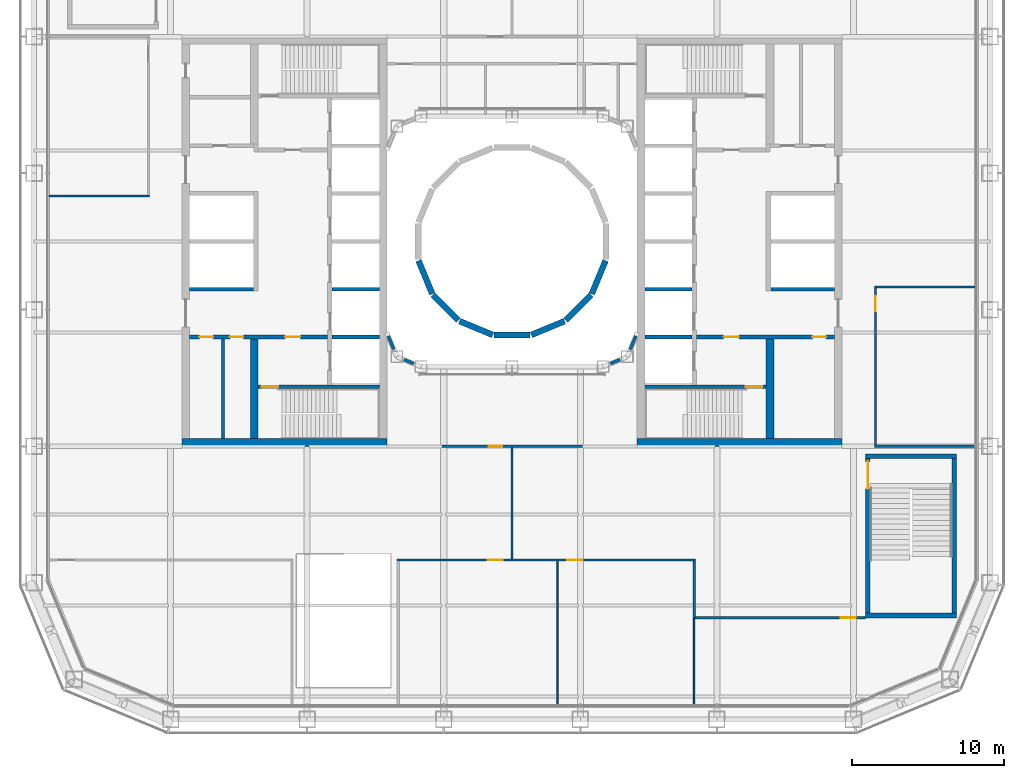
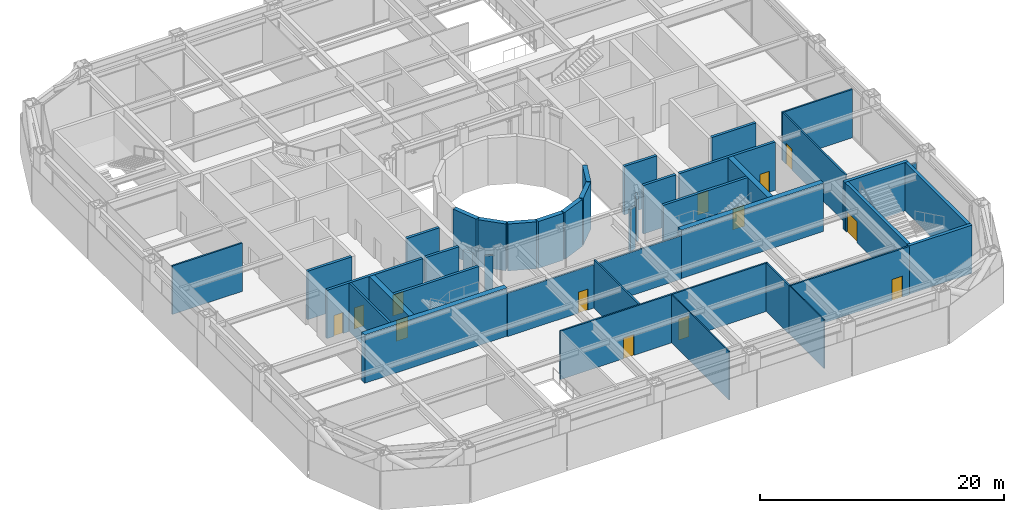
# One storey, part 12 of 24: 41 walls, 13 doors, 13 openings.
"""IFC4 building model written with IfcOpenShell, lengths in metres."""

from ifc_helpers import new_model, si_unit, direction, frame, frame_2d, origin, place, context, subcontext, project, spatial, rectangle, extrude, material, layer, layer_set, type_object, element, fill, save


model = new_model("IFC4")

# Units and contexts
model_context = context("Model", 3, precision=1e-05, world=origin(), true_north=direction((0.0, 1.0)))
body_context = subcontext(model_context, "Body", "Model", "MODEL_VIEW")
ifc_project = project(units=[si_unit("LENGTHUNIT", "METRE"), si_unit("AREAUNIT", "SQUARE_METRE"), si_unit("VOLUMEUNIT", "CUBIC_METRE"), si_unit("PLANEANGLEUNIT", "RADIAN"), si_unit("MASSUNIT", "GRAM", prefix="KILO")], contexts=[model_context])

# Site, building, storey
site_placement = place(None, origin())
site = spatial("IfcSite", under=ifc_project, at=site_placement, CompositionType="ELEMENT")
building_placement = place(site_placement, origin())
building = spatial("IfcBuilding", under=site, at=building_placement, Name="Siwar Civic Tower", CompositionType="ELEMENT")
storey_placement = place(building_placement, frame((0.0, 0.0, 12.199951171875)))
storey = spatial("IfcBuildingStorey", under=building, at=storey_placement, Name="L02", CompositionType="ELEMENT", Elevation=12.199951171875)

# Wall, opening, door
ifc_material_1 = material(Name="Gypsum board on steel studs", Category="steel")
ifc_layer_1 = layer(ifc_material_1, 0.14990234375)
ifc_layer_set_1 = layer_set([ifc_layer_1], Name="Gypsum board on steel studs")
wall_type_1 = type_object("IfcWallType", Name="COMPARTMENT PARTITION 150 EI 60", PredefinedType="PARTITIONING", material=ifc_layer_set_1)
wall_1_placement = place(storey_placement, frame((-8.25, -13.5, 0.0), z_axis=(0.0, 0.0, 1.0), x_axis=(1.0, 0.0, 0.0)))
wall_1 = element("IfcWall", 1, at=wall_1_placement, inside=storey, type_object=wall_type_1, Name="L02/wall/P05", PredefinedType="PARTITIONING", context=body_context, shape_type="SweptSolid", body=[
    extrude(rectangle(XDim=16.5, YDim=0.14990234375, at=frame_2d((8.25, 0.0))), origin(), (0.0, 0.0, 1.0), 4.35009765625),
])
opening_1_placement = place(wall_1_placement, frame((6.699951171875, 0.0, 0.0)))
opening_1 = element("IfcOpeningElement", 2, at=opening_1_placement, cuts=wall_1, Name="Opening D4", PredefinedType="OPENING", context=body_context, shape_type="SweptSolid", body=[
    extrude(rectangle(XDim=0.89990234375, YDim=2.10009765625, at=frame_2d((0.449951171875, 1.050048828125))), frame((0.0, 0.0849609375, 0.0), z_axis=(0.0, -1.0, 0.0), x_axis=(1.0, 0.0, 0.0)), (0.0, 0.0, 1.0), 0.169921875),
])
ifc_material_2 = material(Name="Timber, painted", Category="wood")
door_type_1 = type_object("IfcDoorType", Name="DOOR 900 X 2100 FD60", OperationType="SINGLE_SWING_LEFT", PredefinedType="DOOR", material=ifc_material_2)
door_1_placement = place(opening_1_placement, origin())
door_1 = element("IfcDoor", 3, at=door_1_placement, inside=storey, type_object=door_type_1, Name="L02-D17", OperationType="SINGLE_SWING_LEFT", OverallHeight=2.10009765625, OverallWidth=0.89990234375, PredefinedType="DOOR", context=body_context, shape_type="SweptSolid", body=[
    extrude(rectangle(XDim=0.89990234375, YDim=2.10009765625, at=frame_2d((0.449951171875, 1.050048828125))), frame((0.0, 0.02490234375, 0.0), z_axis=(0.0, -1.0, 0.0), x_axis=(1.0, 0.0, 0.0)), (0.0, 0.0, 1.0), 0.050048828125),
])
fill(opening_1, door_1)

# Wall
ifc_material_3 = material(Name="Gypsum board on steel studs", Category="steel")
ifc_layer_2 = layer(ifc_material_3, 0.199951171875)
ifc_layer_set_2 = layer_set([ifc_layer_2], Name="Gypsum board on steel studs")
wall_type_2 = type_object("IfcWallType", Name="CORE-PARTITION-200", PredefinedType="PARTITIONING", material=ifc_layer_set_2)
wall_2_placement = place(storey_placement, frame((-19.050048828125, -13.0, 0.0), z_axis=(0.0, 0.0, 1.0), x_axis=(0.0, 1.0, 0.0)))
element("IfcWall", 4, at=wall_2_placement, inside=storey, type_object=wall_type_2, Name="Core partition W", PredefinedType="PARTITIONING", context=body_context, shape_type="SweptSolid", body=[
    extrude(rectangle(XDim=6.574951171875, YDim=0.199951171875, at=frame_2d((3.28759765625, 0.0))), origin(), (0.0, 0.0, 1.0), 4.85009765625),
])

# Wall, openings, doors
ifc_material_4 = material(Name="Concrete C60/75", Category="concrete")
ifc_layer_3 = layer(ifc_material_4, 0.25)
ifc_layer_set_3 = layer_set([ifc_layer_3], Name="Concrete C60/75")
wall_type_3 = type_object("IfcWallType", Name="CORE-WALL-RC250", PredefinedType="SHEAR", material=ifc_layer_set_3)
wall_3_placement = place(storey_placement, frame((-12.14990234375, -6.300048828125, 0.0), z_axis=(0.0, 0.0, 1.0), x_axis=(-1.0, 0.0, 0.0)))
wall_3 = element("IfcWall", 5, at=wall_3_placement, inside=storey, type_object=wall_type_3, Name="Core wall W", PredefinedType="SHEAR", context=body_context, shape_type="SweptSolid", body=[
    extrude(rectangle(XDim=9.10009765625, YDim=0.25, at=frame_2d((4.550048828125, 0.0))), origin(), (0.0, 0.0, 1.0), 4.85009765625),
])
opening_2_placement = place(wall_3_placement, frame((1.800048828125, 0.0, 0.0)))
opening_2 = element("IfcOpeningElement", 6, at=opening_2_placement, cuts=wall_3, Name="Opening L02-CW02", PredefinedType="OPENING", context=body_context, shape_type="SweptSolid", body=[
    extrude(rectangle(XDim=1.0, YDim=2.10009765625, at=frame_2d((0.5, 1.050048828125))), frame((0.0, 0.135009765625, 0.0), z_axis=(0.0, -1.0, 0.0), x_axis=(1.0, 0.0, 0.0)), (0.0, 0.0, 1.0), 0.27001953125),
])
opening_3_placement = place(wall_3_placement, frame((5.550048828125, 0.0, 0.0)))
opening_3 = element("IfcOpeningElement", 7, at=opening_3_placement, cuts=wall_3, Name="Opening L02-CW15", PredefinedType="OPENING", context=body_context, shape_type="SweptSolid", body=[
    extrude(rectangle(XDim=0.89990234375, YDim=2.10009765625, at=frame_2d((0.449951171875, 1.050048828125))), frame((0.0, 0.135009765625, 0.0), z_axis=(0.0, -1.0, 0.0), x_axis=(1.0, 0.0, 0.0)), (0.0, 0.0, 1.0), 0.27001953125),
])
opening_4_placement = place(wall_3_placement, frame((7.550048828125, 0.0, 0.0)))
opening_4 = element("IfcOpeningElement", 8, at=opening_4_placement, cuts=wall_3, Name="Opening L02-CW16", PredefinedType="OPENING", context=body_context, shape_type="SweptSolid", body=[
    extrude(rectangle(XDim=0.89990234375, YDim=2.10009765625, at=frame_2d((0.449951171875, 1.050048828125))), frame((0.0, 0.135009765625, 0.0), z_axis=(0.0, -1.0, 0.0), x_axis=(1.0, 0.0, 0.0)), (0.0, 0.0, 1.0), 0.27001953125),
])
ifc_material_5 = material(Name="Steel door leaf", Category="steel")
door_type_2 = type_object("IfcDoorType", Name="CORE-DOOR-FD30S", OperationType="SINGLE_SWING_LEFT", PredefinedType="DOOR", material=ifc_material_5)
door_2_placement = place(opening_2_placement, origin())
door_2 = element("IfcDoor", 9, at=door_2_placement, inside=storey, type_object=door_type_2, Name="Service lobby door L02-CW02", OperationType="SINGLE_SWING_RIGHT", OverallHeight=2.10009765625, OverallWidth=1.0, PredefinedType="DOOR", context=body_context, shape_type="SweptSolid", body=[
    extrude(rectangle(XDim=1.0, YDim=2.10009765625, at=frame_2d((0.5, 1.050048828125))), frame((0.0, 0.02490234375, 0.0), z_axis=(0.0, -1.0, 0.0), x_axis=(1.0, 0.0, 0.0)), (0.0, 0.0, 1.0), 0.050048828125),
])
fill(opening_2, door_2)
ifc_material_6 = material(Name="Steel door leaf", Category="steel")
door_type_3 = type_object("IfcDoorType", Name="CORE-DOOR-ROOM", OperationType="SINGLE_SWING_LEFT", PredefinedType="DOOR", material=ifc_material_6)
door_3_placement = place(opening_3_placement, origin())
door_3 = element("IfcDoor", 10, at=door_3_placement, inside=storey, type_object=door_type_3, Name="Core room door L02-CW15", OperationType="SINGLE_SWING_LEFT", OverallHeight=2.10009765625, OverallWidth=0.89990234375, PredefinedType="DOOR", context=body_context, shape_type="SweptSolid", body=[
    extrude(rectangle(XDim=0.89990234375, YDim=2.10009765625, at=frame_2d((0.449951171875, 1.050048828125))), frame((0.0, 0.02490234375, 0.0), z_axis=(0.0, -1.0, 0.0), x_axis=(1.0, 0.0, 0.0)), (0.0, 0.0, 1.0), 0.050048828125),
])
fill(opening_3, door_3)
door_4_placement = place(opening_4_placement, origin())
door_4 = element("IfcDoor", 11, at=door_4_placement, inside=storey, type_object=door_type_3, Name="Core room door L02-CW16", OperationType="SINGLE_SWING_RIGHT", OverallHeight=2.10009765625, OverallWidth=0.89990234375, PredefinedType="DOOR", context=body_context, shape_type="SweptSolid", body=[
    extrude(rectangle(XDim=0.89990234375, YDim=2.10009765625, at=frame_2d((0.449951171875, 1.050048828125))), frame((0.0, 0.02490234375, 0.0), z_axis=(0.0, -1.0, 0.0), x_axis=(1.0, 0.0, 0.0)), (0.0, 0.0, 1.0), 0.050048828125),
])
fill(opening_4, door_4)

# Walls
wall_4_placement = place(storey_placement, frame((-17.050048828125, -3.14990234375, 0.0), z_axis=(0.0, 0.0, 1.0), x_axis=(-1.0, 0.0, 0.0)))
element("IfcWall", 12, at=wall_4_placement, inside=storey, type_object=wall_type_3, Name="Core wall W", PredefinedType="SHEAR", context=body_context, shape_type="SweptSolid", body=[
    extrude(rectangle(XDim=4.199951171875, YDim=0.25, at=frame_2d((2.10009765625, 0.0))), origin(), (0.0, 0.0, 1.0), 4.85009765625),
])
for number, where, z_axis, x_axis, name in (
    (13, (-8.75, -3.14990234375, 0.0), (0.0, 0.0, 1.0), (-1.0, 0.0, 0.0), "Core wall W"),
    (14, (-8.75, -6.300048828125, 0.0), (0.0, 0.0, 1.0), (-1.0, 0.0, 0.0), "Core wall W"),
):
    element("IfcWall", number, at=place(storey_placement, frame(where, z_axis=z_axis, x_axis=x_axis)), inside=storey, type_object=wall_type_3, Name=name, PredefinedType="SHEAR", context=body_context, shape_type="SweptSolid", body=[
        extrude(rectangle(XDim=3.10009765625, YDim=0.25, at=frame_2d((1.550048828125, 0.0))), origin(), (0.0, 0.0, 1.0), 4.85009765625),
    ])

# Wall, opening, door
wall_5_placement = place(storey_placement, frame((-8.75, -9.574951171875, 0.0), z_axis=(0.0, 0.0, 1.0), x_axis=(-1.0, 0.0, 0.0)))
wall_5 = element("IfcWall", 15, at=wall_5_placement, inside=storey, type_object=wall_type_3, Name="Core wall W", PredefinedType="SHEAR", context=body_context, shape_type="SweptSolid", body=[
    extrude(rectangle(XDim=8.0, YDim=0.25, at=frame_2d((4.0, 0.0))), origin(), (0.0, 0.0, 1.0), 4.85009765625),
])
opening_5_placement = place(wall_5_placement, frame((6.64990234375, 0.0, 0.0)))
opening_5 = element("IfcOpeningElement", 16, at=opening_5_placement, cuts=wall_5, Name="Opening L02-CW04", PredefinedType="OPENING", context=body_context, shape_type="SweptSolid", body=[
    extrude(rectangle(XDim=1.10009765625, YDim=2.10009765625, at=frame_2d((0.550048828125, 1.050048828125))), frame((0.0, 0.135009765625, 0.0), z_axis=(0.0, -1.0, 0.0), x_axis=(1.0, 0.0, 0.0)), (0.0, 0.0, 1.0), 0.27001953125),
])
ifc_material_7 = material(Name="Steel door leaf", Category="steel")
door_type_4 = type_object("IfcDoorType", Name="CORE-DOOR-FD60S", OperationType="SINGLE_SWING_LEFT", PredefinedType="DOOR", material=ifc_material_7)
door_5_placement = place(opening_5_placement, origin())
door_5 = element("IfcDoor", 17, at=door_5_placement, inside=storey, type_object=door_type_4, Name="Stair door L02-CW04", OperationType="SINGLE_SWING_LEFT", OverallHeight=2.10009765625, OverallWidth=1.10009765625, PredefinedType="DOOR", context=body_context, shape_type="SweptSolid", body=[
    extrude(rectangle(XDim=1.10009765625, YDim=2.10009765625, at=frame_2d((0.550048828125, 1.050048828125))), frame((0.0, 0.02490234375, 0.0), z_axis=(0.0, -1.0, 0.0), x_axis=(1.0, 0.0, 0.0)), (0.0, 0.0, 1.0), 0.050048828125),
])
fill(opening_5, door_5)

# Wall, openings, doors
wall_6_placement = place(storey_placement, frame((12.14990234375, -6.300048828125, 0.0), z_axis=(0.0, 0.0, 1.0), x_axis=(1.0, 0.0, 0.0)))
wall_6 = element("IfcWall", 18, at=wall_6_placement, inside=storey, type_object=wall_type_3, Name="Core wall E", PredefinedType="SHEAR", context=body_context, shape_type="SweptSolid", body=[
    extrude(rectangle(XDim=9.10009765625, YDim=0.25, at=frame_2d((4.550048828125, 0.0))), origin(), (0.0, 0.0, 1.0), 4.85009765625),
])
opening_6_placement = place(wall_6_placement, frame((1.800048828125, 0.0, 0.0)))
opening_6 = element("IfcOpeningElement", 19, at=opening_6_placement, cuts=wall_6, Name="Opening L02-CE02", PredefinedType="OPENING", context=body_context, shape_type="SweptSolid", body=[
    extrude(rectangle(XDim=1.0, YDim=2.10009765625, at=frame_2d((0.5, 1.050048828125))), frame((0.0, 0.135009765625, 0.0), z_axis=(0.0, -1.0, 0.0), x_axis=(1.0, 0.0, 0.0)), (0.0, 0.0, 1.0), 0.27001953125),
])
opening_7_placement = place(wall_6_placement, frame((7.64990234375, 0.0, 0.0)))
opening_7 = element("IfcOpeningElement", 20, at=opening_7_placement, cuts=wall_6, Name="Opening L02-CE15", PredefinedType="OPENING", context=body_context, shape_type="SweptSolid", body=[
    extrude(rectangle(XDim=0.89990234375, YDim=2.10009765625, at=frame_2d((0.449951171875, 1.050048828125))), frame((0.0, 0.135009765625, 0.0), z_axis=(0.0, -1.0, 0.0), x_axis=(1.0, 0.0, 0.0)), (0.0, 0.0, 1.0), 0.27001953125),
])
door_6_placement = place(opening_6_placement, origin())
door_6 = element("IfcDoor", 21, at=door_6_placement, inside=storey, type_object=door_type_2, Name="Service lobby door L02-CE02", OperationType="SINGLE_SWING_LEFT", OverallHeight=2.10009765625, OverallWidth=1.0, PredefinedType="DOOR", context=body_context, shape_type="SweptSolid", body=[
    extrude(rectangle(XDim=1.0, YDim=2.10009765625, at=frame_2d((0.5, 1.050048828125))), frame((0.0, 0.02490234375, 0.0), z_axis=(0.0, -1.0, 0.0), x_axis=(1.0, 0.0, 0.0)), (0.0, 0.0, 1.0), 0.050048828125),
])
fill(opening_6, door_6)
door_7_placement = place(opening_7_placement, origin())
door_7 = element("IfcDoor", 22, at=door_7_placement, inside=storey, type_object=door_type_3, Name="Core room door L02-CE15", OperationType="SINGLE_SWING_RIGHT", OverallHeight=2.10009765625, OverallWidth=0.89990234375, PredefinedType="DOOR", context=body_context, shape_type="SweptSolid", body=[
    extrude(rectangle(XDim=0.89990234375, YDim=2.10009765625, at=frame_2d((0.449951171875, 1.050048828125))), frame((0.0, 0.02490234375, 0.0), z_axis=(0.0, -1.0, 0.0), x_axis=(1.0, 0.0, 0.0)), (0.0, 0.0, 1.0), 0.050048828125),
])
fill(opening_7, door_7)

# Walls
wall_7_placement = place(storey_placement, frame((17.050048828125, -3.14990234375, 0.0), z_axis=(0.0, 0.0, 1.0), x_axis=(1.0, 0.0, 0.0)))
element("IfcWall", 23, at=wall_7_placement, inside=storey, type_object=wall_type_3, Name="Core wall E", PredefinedType="SHEAR", context=body_context, shape_type="SweptSolid", body=[
    extrude(rectangle(XDim=4.199951171875, YDim=0.25, at=frame_2d((2.10009765625, 0.0))), origin(), (0.0, 0.0, 1.0), 4.85009765625),
])
for number, where, z_axis, x_axis, name in (
    (24, (8.75, -3.14990234375, 0.0), (0.0, 0.0, 1.0), (1.0, 0.0, 0.0), "Core wall E"),
    (25, (8.75, -6.300048828125, 0.0), (0.0, 0.0, 1.0), (1.0, 0.0, 0.0), "Core wall E"),
):
    element("IfcWall", number, at=place(storey_placement, frame(where, z_axis=z_axis, x_axis=x_axis)), inside=storey, type_object=wall_type_3, Name=name, PredefinedType="SHEAR", context=body_context, shape_type="SweptSolid", body=[
        extrude(rectangle(XDim=3.10009765625, YDim=0.25, at=frame_2d((1.550048828125, 0.0))), origin(), (0.0, 0.0, 1.0), 4.85009765625),
    ])

# Wall, opening, door
wall_8_placement = place(storey_placement, frame((8.75, -9.574951171875, 0.0), z_axis=(0.0, 0.0, 1.0), x_axis=(1.0, 0.0, 0.0)))
wall_8 = element("IfcWall", 26, at=wall_8_placement, inside=storey, type_object=wall_type_3, Name="Core wall E", PredefinedType="SHEAR", context=body_context, shape_type="SweptSolid", body=[
    extrude(rectangle(XDim=8.0, YDim=0.25, at=frame_2d((4.0, 0.0))), origin(), (0.0, 0.0, 1.0), 4.85009765625),
])
opening_8_placement = place(wall_8_placement, frame((6.64990234375, 0.0, 0.0)))
opening_8 = element("IfcOpeningElement", 27, at=opening_8_placement, cuts=wall_8, Name="Opening L02-CE04", PredefinedType="OPENING", context=body_context, shape_type="SweptSolid", body=[
    extrude(rectangle(XDim=1.10009765625, YDim=2.10009765625, at=frame_2d((0.550048828125, 1.050048828125))), frame((0.0, 0.135009765625, 0.0), z_axis=(0.0, -1.0, 0.0), x_axis=(1.0, 0.0, 0.0)), (0.0, 0.0, 1.0), 0.27001953125),
])
door_8_placement = place(opening_8_placement, origin())
door_8 = element("IfcDoor", 28, at=door_8_placement, inside=storey, type_object=door_type_4, Name="Stair door L02-CE04", OperationType="SINGLE_SWING_RIGHT", OverallHeight=2.10009765625, OverallWidth=1.10009765625, PredefinedType="DOOR", context=body_context, shape_type="SweptSolid", body=[
    extrude(rectangle(XDim=1.10009765625, YDim=2.10009765625, at=frame_2d((0.550048828125, 1.050048828125))), frame((0.0, 0.02490234375, 0.0), z_axis=(0.0, -1.0, 0.0), x_axis=(1.0, 0.0, 0.0)), (0.0, 0.0, 1.0), 0.050048828125),
])
fill(opening_8, door_8)

# Walls
ifc_material_8 = material(Name="Concrete C60/75", Category="concrete")
ifc_layer_4 = layer(ifc_material_8, 0.5)
ifc_layer_set_4 = layer_set([ifc_layer_4], Name="Concrete C60/75")
wall_type_4 = type_object("IfcWallType", Name="CORE-WALL-RC500", PredefinedType="SHEAR", material=ifc_layer_set_4)
wall_9_placement = place(storey_placement, frame((-17.0, -13.0, 0.0), z_axis=(0.0, 0.0, 1.0), x_axis=(0.0, 1.0, 0.0)))
element("IfcWall", 29, at=wall_9_placement, inside=storey, type_object=wall_type_4, Name="Core wall W", PredefinedType="SHEAR", context=body_context, shape_type="SweptSolid", body=[
    extrude(rectangle(XDim=6.574951171875, YDim=0.5, at=frame_2d((3.28759765625, 0.0))), origin(), (0.0, 0.0, 1.0), 4.85009765625),
])
wall_10_placement = place(storey_placement, frame((-8.25, -13.25, 0.0), z_axis=(0.0, 0.0, 1.0), x_axis=(-1.0, 0.0, 0.0)))
element("IfcWall", 30, at=wall_10_placement, inside=storey, type_object=wall_type_4, Name="Core wall W", PredefinedType="SHEAR", context=body_context, shape_type="SweptSolid", body=[
    extrude(rectangle(XDim=13.5, YDim=0.5, at=frame_2d((6.75, 0.0))), origin(), (0.0, 0.0, 1.0), 4.85009765625),
])
wall_11_placement = place(storey_placement, frame((17.0, -13.0, 0.0), z_axis=(0.0, 0.0, 1.0), x_axis=(0.0, 1.0, 0.0)))
element("IfcWall", 31, at=wall_11_placement, inside=storey, type_object=wall_type_4, Name="Core wall E", PredefinedType="SHEAR", context=body_context, shape_type="SweptSolid", body=[
    extrude(rectangle(XDim=6.574951171875, YDim=0.5, at=frame_2d((3.28759765625, 0.0))), origin(), (0.0, 0.0, 1.0), 4.85009765625),
])
wall_12_placement = place(storey_placement, frame((8.25, -13.25, 0.0), z_axis=(0.0, 0.0, 1.0), x_axis=(1.0, 0.0, 0.0)))
element("IfcWall", 32, at=wall_12_placement, inside=storey, type_object=wall_type_4, Name="Core wall E", PredefinedType="SHEAR", context=body_context, shape_type="SweptSolid", body=[
    extrude(rectangle(XDim=13.5, YDim=0.5, at=frame_2d((6.75, 0.0))), origin(), (0.0, 0.0, 1.0), 4.85009765625),
])

# Wall, opening, door
ifc_material_9 = material(Name="Gypsum board on steel studs", Category="steel")
ifc_layer_5 = layer(ifc_material_9, 0.14990234375)
ifc_layer_set_5 = layer_set([ifc_layer_5], Name="Gypsum board on steel studs")
wall_type_5 = type_object("IfcWallType", Name="CORRIDOR PARTITION 150 EI 30", PredefinedType="PARTITIONING", material=ifc_layer_set_5)
wall_13_placement = place(storey_placement, frame((12.050048828125, -24.800048828125, 0.0), z_axis=(0.0, 0.0, 1.0), x_axis=(1.0, 0.0, 0.0)))
wall_13 = element("IfcWall", 33, at=wall_13_placement, inside=storey, type_object=wall_type_5, Name="L02/wall/P01", PredefinedType="PARTITIONING", context=body_context, shape_type="SweptSolid", body=[
    extrude(rectangle(XDim=11.25, YDim=0.14990234375, at=frame_2d((5.625, 0.0))), origin(), (0.0, 0.0, 1.0), 4.85009765625),
])
opening_9_placement = place(wall_13_placement, frame((9.60009765625, 0.0, 0.0)))
opening_9 = element("IfcOpeningElement", 34, at=opening_9_placement, cuts=wall_13, Name="Opening D1", PredefinedType="OPENING", context=body_context, shape_type="SweptSolid", body=[
    extrude(rectangle(XDim=1.0, YDim=2.10009765625, at=frame_2d((0.5, 1.050048828125))), frame((0.0, 0.0849609375, 0.0), z_axis=(0.0, -1.0, 0.0), x_axis=(1.0, 0.0, 0.0)), (0.0, 0.0, 1.0), 0.169921875),
])
ifc_material_10 = material(Name="Timber, painted", Category="wood")
door_type_5 = type_object("IfcDoorType", Name="DOOR 1000 X 2100 FD30", OperationType="SINGLE_SWING_LEFT", PredefinedType="DOOR", material=ifc_material_10)
door_9_placement = place(opening_9_placement, origin())
door_9 = element("IfcDoor", 35, at=door_9_placement, inside=storey, type_object=door_type_5, Name="L02-D10", OperationType="SINGLE_SWING_RIGHT", OverallHeight=2.10009765625, OverallWidth=1.0, PredefinedType="DOOR", context=body_context, shape_type="SweptSolid", body=[
    extrude(rectangle(XDim=1.0, YDim=2.10009765625, at=frame_2d((0.5, 1.050048828125))), frame((0.0, 0.02490234375, 0.0), z_axis=(0.0, -1.0, 0.0), x_axis=(1.0, 0.0, 0.0)), (0.0, 0.0, 1.0), 0.050048828125),
])
fill(opening_9, door_9)

# Wall, openings, doors
wall_14_placement = place(storey_placement, frame((-7.574951171875, -21.0, 0.0), z_axis=(0.0, 0.0, 1.0), x_axis=(1.0, 0.0, 0.0)))
wall_14 = element("IfcWall", 36, at=wall_14_placement, inside=storey, type_object=wall_type_5, Name="L02/wall/P03", PredefinedType="PARTITIONING", context=body_context, shape_type="SweptSolid", body=[
    extrude(rectangle(XDim=19.64990234375, YDim=0.14990234375, at=frame_2d((9.824951171875, 0.0))), origin(), (0.0, 0.0, 1.0), 4.85009765625),
])
opening_10_placement = place(wall_14_placement, frame((5.97509765625, 0.0, 0.0)))
opening_10 = element("IfcOpeningElement", 37, at=opening_10_placement, cuts=wall_14, Name="Opening D1", PredefinedType="OPENING", context=body_context, shape_type="SweptSolid", body=[
    extrude(rectangle(XDim=1.0, YDim=2.10009765625, at=frame_2d((0.5, 1.050048828125))), frame((0.0, 0.0849609375, 0.0), z_axis=(0.0, -1.0, 0.0), x_axis=(1.0, 0.0, 0.0)), (0.0, 0.0, 1.0), 0.169921875),
])
opening_11_placement = place(wall_14_placement, frame((11.22509765625, 0.0, 0.0)))
opening_11 = element("IfcOpeningElement", 38, at=opening_11_placement, cuts=wall_14, Name="Opening D1", PredefinedType="OPENING", context=body_context, shape_type="SweptSolid", body=[
    extrude(rectangle(XDim=1.0, YDim=2.10009765625, at=frame_2d((0.5, 1.050048828125))), frame((0.0, 0.0849609375, 0.0), z_axis=(0.0, -1.0, 0.0), x_axis=(1.0, 0.0, 0.0)), (0.0, 0.0, 1.0), 0.169921875),
])
door_10_placement = place(opening_10_placement, origin())
door_10 = element("IfcDoor", 39, at=door_10_placement, inside=storey, type_object=door_type_5, Name="L02-D08", OperationType="SINGLE_SWING_RIGHT", OverallHeight=2.10009765625, OverallWidth=1.0, PredefinedType="DOOR", context=body_context, shape_type="SweptSolid", body=[
    extrude(rectangle(XDim=1.0, YDim=2.10009765625, at=frame_2d((0.5, 1.050048828125))), frame((0.0, 0.02490234375, 0.0), z_axis=(0.0, -1.0, 0.0), x_axis=(1.0, 0.0, 0.0)), (0.0, 0.0, 1.0), 0.050048828125),
])
fill(opening_10, door_10)
door_11_placement = place(opening_11_placement, origin())
door_11 = element("IfcDoor", 40, at=door_11_placement, inside=storey, type_object=door_type_5, Name="L02-D09", OperationType="SINGLE_SWING_LEFT", OverallHeight=2.10009765625, OverallWidth=1.0, PredefinedType="DOOR", context=body_context, shape_type="SweptSolid", body=[
    extrude(rectangle(XDim=1.0, YDim=2.10009765625, at=frame_2d((0.5, 1.050048828125))), frame((0.0, 0.02490234375, 0.0), z_axis=(0.0, -1.0, 0.0), x_axis=(1.0, 0.0, 0.0)), (0.0, 0.0, 1.0), 0.050048828125),
])
fill(opening_11, door_11)

# Walls
wall_15_placement = place(storey_placement, frame((23.875, -13.5, 0.0), z_axis=(0.0, 0.0, 1.0), x_axis=(1.0, 0.0, 0.0)))
element("IfcWall", 41, at=wall_15_placement, inside=storey, type_object=wall_type_5, Name="L02/wall/P04", PredefinedType="PARTITIONING", context=body_context, shape_type="SweptSolid", body=[
    extrude(rectangle(XDim=6.635009765625, YDim=0.14990234375, at=frame_2d((3.3173828125, 0.0))), origin(), (0.0, 0.0, 1.0), 3.85009765625),
])
for number, where, z_axis, x_axis, name in (
    (42, (23.875, -3.0, 0.0), (0.0, 0.0, 1.0), (1.0, 0.0, 0.0), "L02/wall/P06"),
    (43, (-30.510009765625, 3.0, 0.0), (0.0, 0.0, 1.0), (1.0, 0.0, 0.0), "L02/wall/P07"),
):
    element("IfcWall", number, at=place(storey_placement, frame(where, z_axis=z_axis, x_axis=x_axis)), inside=storey, type_object=wall_type_5, Name=name, PredefinedType="PARTITIONING", context=body_context, shape_type="SweptSolid", body=[
        extrude(rectangle(XDim=6.635009765625, YDim=0.14990234375, at=frame_2d((3.3173828125, 0.0))), origin(), (0.0, 0.0, 1.0), 4.85009765625),
    ])
wall_16_placement = place(storey_placement, frame((0.0, -20.925048828125, 0.0), z_axis=(0.0, 0.0, 1.0), x_axis=(0.0, 1.0, 0.0)))
element("IfcWall", 44, at=wall_16_placement, inside=storey, type_object=wall_type_5, Name="L02/wall/P22", PredefinedType="PARTITIONING", context=body_context, shape_type="SweptSolid", body=[
    extrude(rectangle(XDim=7.35009765625, YDim=0.14990234375, at=frame_2d((3.675048828125, 0.0))), origin(), (0.0, 0.0, 1.0), 4.85009765625),
])
wall_17_placement = place(storey_placement, frame((12.0, -24.800048828125, 0.0), z_axis=(0.0, 0.0, 1.0), x_axis=(0.0, 1.0, 0.0)))
element("IfcWall", 45, at=wall_17_placement, inside=storey, type_object=wall_type_5, Name="L02/wall/P29", PredefinedType="PARTITIONING", context=body_context, shape_type="SweptSolid", body=[
    extrude(rectangle(XDim=3.72509765625, YDim=0.14990234375, at=frame_2d((1.862548828125, 0.0))), origin(), (0.0, 0.0, 1.0), 4.85009765625),
])

# Wall, opening, door
wall_18_placement = place(storey_placement, frame((23.949951171875, -13.425048828125, 0.0), z_axis=(0.0, 0.0, 1.0), x_axis=(0.0, 1.0, 0.0)))
wall_18 = element("IfcWall", 46, at=wall_18_placement, inside=storey, type_object=wall_type_5, Name="L02/wall/P31", PredefinedType="PARTITIONING", context=body_context, shape_type="SweptSolid", body=[
    extrude(rectangle(XDim=10.35009765625, YDim=0.14990234375, at=frame_2d((5.175048828125, 0.0))), origin(), (0.0, 0.0, 1.0), 4.85009765625),
])
opening_12_placement = place(wall_18_placement, frame((8.824951171875, 0.0, 0.0)))
opening_12 = element("IfcOpeningElement", 47, at=opening_12_placement, cuts=wall_18, Name="Opening D1", PredefinedType="OPENING", context=body_context, shape_type="SweptSolid", body=[
    extrude(rectangle(XDim=1.0, YDim=2.10009765625, at=frame_2d((0.5, 1.050048828125))), frame((0.0, 0.0849609375, 0.0), z_axis=(0.0, -1.0, 0.0), x_axis=(1.0, 0.0, 0.0)), (0.0, 0.0, 1.0), 0.169921875),
])
door_12_placement = place(opening_12_placement, origin())
door_12 = element("IfcDoor", 48, at=door_12_placement, inside=storey, type_object=door_type_5, Name="L02-D18", OperationType="SINGLE_SWING_RIGHT", OverallHeight=2.10009765625, OverallWidth=1.0, PredefinedType="DOOR", context=body_context, shape_type="SweptSolid", body=[
    extrude(rectangle(XDim=1.0, YDim=2.10009765625, at=frame_2d((0.5, 1.050048828125))), frame((0.0, 0.02490234375, 0.0), z_axis=(0.0, -1.0, 0.0), x_axis=(1.0, 0.0, 0.0)), (0.0, 0.0, 1.0), 0.050048828125),
])
fill(opening_12, door_12)

# Walls
ifc_material_11 = material(Name="Aluminium clad insulated panel", Category="aluminium")
ifc_layer_6 = layer(ifc_material_11, 0.199951171875)
ifc_layer_set_6 = layer_set([ifc_layer_6], Name="Aluminium clad insulated panel")
wall_type_6 = type_object("IfcWallType", Name="ENV-WALL-WELL", PredefinedType="STANDARD", material=ifc_layer_set_6)
wall_19_placement = place(storey_placement, frame((6.48291015625, -8.050048828125, 0.0), z_axis=(0.0, 0.0, 1.0), x_axis=(0.923854141361, 0.382744726273, 0.0)))
element("IfcWall", 49, at=wall_19_placement, inside=storey, type_object=wall_type_6, Name="Light well corner wall SE1", PredefinedType="STANDARD", context=body_context, shape_type="SweptSolid", body=[
    extrude(rectangle(XDim=0.6767578125, YDim=0.199951171875, at=frame_2d((0.33837890625, 0.0))), origin(), (0.0, 0.0, 1.0), 4.22998046875),
])
for number, where, z_axis, x_axis, name in (
    (50, (7.791015625, -7.108154296875, 0.0), (0.0, 0.0, 1.0), (0.382624318388, 0.923904016107, 0.0), "Light well corner wall SE2"),
    (51, (-8.154296875, -6.23095703125, 0.0), (0.0, 0.0, 1.0), (0.382624318388, -0.923904016107, 0.0), "Light well corner wall SW1"),
):
    element("IfcWall", number, at=place(storey_placement, frame(where, z_axis=z_axis, x_axis=x_axis)), inside=storey, type_object=wall_type_6, Name=name, PredefinedType="STANDARD", context=body_context, shape_type="SweptSolid", body=[
        extrude(rectangle(XDim=0.949462890625, YDim=0.199951171875, at=frame_2d((0.474609375, 0.0))), origin(), (0.0, 0.0, 1.0), 4.22998046875),
    ])
wall_20_placement = place(storey_placement, frame((-7.108154296875, -7.791015625, 0.0), z_axis=(0.0, 0.0, 1.0), x_axis=(0.923854141361, -0.382744726273, 0.0)))
element("IfcWall", 52, at=wall_20_placement, inside=storey, type_object=wall_type_6, Name="Light well corner wall SW2", PredefinedType="STANDARD", context=body_context, shape_type="SweptSolid", body=[
    extrude(rectangle(XDim=0.6767578125, YDim=0.199951171875, at=frame_2d((0.33837890625, 0.0))), origin(), (0.0, 0.0, 1.0), 4.22998046875),
])
ifc_material_12 = material(Name="Concrete C60/75", Category="concrete")
ifc_layer_7 = layer(ifc_material_12, 0.39990234375)
ifc_layer_set_7 = layer_set([ifc_layer_7], Name="Concrete C60/75")
wall_type_7 = type_object("IfcWallType", Name="GND-DRUMWALL", PredefinedType="SOLIDWALL", material=ifc_layer_set_7)
wall_21_placement = place(storey_placement, frame((-6.163330078125, -1.266845703125, 0.0), z_axis=(0.0, 0.0, 1.0), x_axis=(0.382681453552, -0.92388035216, 0.0)))
element("IfcWall", 53, at=wall_21_placement, inside=storey, type_object=wall_type_7, Name="L02/wall/drum-09", PredefinedType="SOLIDWALL", context=body_context, shape_type="SweptSolid", body=[
    extrude(rectangle(XDim=2.37646484375, YDim=0.39990234375, at=frame_2d((1.188232421875, 0.0))), origin(), (0.0, 0.0, 1.0), 4.699951171875),
])
wall_22_placement = place(storey_placement, frame((-5.20947265625, -3.52880859375, 0.0), z_axis=(0.0, 0.0, 1.0), x_axis=(0.707106781187, -0.707106781187, 0.0)))
element("IfcWall", 54, at=wall_22_placement, inside=storey, type_object=wall_type_7, Name="L02/wall/drum-10", PredefinedType="SOLIDWALL", context=body_context, shape_type="SweptSolid", body=[
    extrude(rectangle(XDim=2.376708984375, YDim=0.39990234375, at=frame_2d((1.1884765625, 0.0))), origin(), (0.0, 0.0, 1.0), 4.699951171875),
])
for number, where, z_axis, x_axis, name in (
    (55, (-3.46240234375, -5.25390625, 0.0), (0.0, 0.0, 1.0), (0.92388035216, -0.382681453552, 0.0), "L02/wall/drum-11"),
    (56, (-1.188232421875, -6.178955078125, 0.0), (0.0, 0.0, 1.0), (1.0, 0.0, 0.0), "L02/wall/drum-12"),
    (57, (1.266845703125, -6.163330078125, 0.0), (0.0, 0.0, 1.0), (0.92388035216, 0.382681453552, 0.0), "L02/wall/drum-13"),
):
    element("IfcWall", number, at=place(storey_placement, frame(where, z_axis=z_axis, x_axis=x_axis)), inside=storey, type_object=wall_type_7, Name=name, PredefinedType="SOLIDWALL", context=body_context, shape_type="SweptSolid", body=[
        extrude(rectangle(XDim=2.37646484375, YDim=0.39990234375, at=frame_2d((1.188232421875, 0.0))), origin(), (0.0, 0.0, 1.0), 4.699951171875),
    ])
wall_23_placement = place(storey_placement, frame((3.52880859375, -5.20947265625, 0.0), z_axis=(0.0, 0.0, 1.0), x_axis=(0.707106781187, 0.707106781187, 0.0)))
element("IfcWall", 58, at=wall_23_placement, inside=storey, type_object=wall_type_7, Name="L02/wall/drum-14", PredefinedType="SOLIDWALL", context=body_context, shape_type="SweptSolid", body=[
    extrude(rectangle(XDim=2.376708984375, YDim=0.39990234375, at=frame_2d((1.1884765625, 0.0))), origin(), (0.0, 0.0, 1.0), 4.699951171875),
])
wall_24_placement = place(storey_placement, frame((5.25390625, -3.46240234375, 0.0), z_axis=(0.0, 0.0, 1.0), x_axis=(0.382681453552, 0.92388035216, 0.0)))
element("IfcWall", 59, at=wall_24_placement, inside=storey, type_object=wall_type_7, Name="L02/wall/drum-15", PredefinedType="SOLIDWALL", context=body_context, shape_type="SweptSolid", body=[
    extrude(rectangle(XDim=2.37646484375, YDim=0.39990234375, at=frame_2d((1.188232421875, 0.0))), origin(), (0.0, 0.0, 1.0), 4.699951171875),
])

# Wall, opening, door
ifc_material_13 = material(Name="Concrete C60/75", Category="concrete")
ifc_layer_8 = layer(ifc_material_13, 0.300048828125)
ifc_layer_set_8 = layer_set([ifc_layer_8], Name="Concrete C60/75")
wall_type_8 = type_object("IfcWallType", Name="GND-ES-WALL", PredefinedType="SHEAR", material=ifc_layer_set_8)
wall_25_placement = place(storey_placement, frame((23.449951171875, -14.300048828125, 0.0), z_axis=(0.0, 0.0, 1.0), x_axis=(0.0, -1.0, 0.0)))
wall_25 = element("IfcWall", 60, at=wall_25_placement, inside=storey, type_object=wall_type_8, Name="Stair wall ST6", PredefinedType="SHEAR", context=body_context, shape_type="SweptSolid", body=[
    extrude(rectangle(XDim=10.199951171875, YDim=0.300048828125, at=frame_2d((5.10009765625, 0.0))), origin(), (0.0, 0.0, 1.0), 4.85009765625),
])
opening_13_placement = place(wall_25_placement, frame((0.199951171875, 0.0, 0.0)))
opening_13 = element("IfcOpeningElement", 61, at=opening_13_placement, cuts=wall_25, Name="Opening SX1", PredefinedType="OPENING", context=body_context, shape_type="SweptSolid", body=[
    extrude(rectangle(XDim=1.800048828125, YDim=2.10009765625, at=frame_2d((0.89990234375, 1.050048828125))), frame((0.0, 0.16015625, 0.0), z_axis=(0.0, -1.0, 0.0), x_axis=(1.0, 0.0, 0.0)), (0.0, 0.0, 1.0), 0.320068359375),
])
ifc_material_14 = material(Name="Steel door leaf", Category="steel")
door_type_6 = type_object("IfcDoorType", Name="GND-ES-DOOR", OperationType="DOUBLE_DOOR_SINGLE_SWING", PredefinedType="DOOR", material=ifc_material_14)
door_13_placement = place(opening_13_placement, origin())
door_13 = element("IfcDoor", 62, at=door_13_placement, inside=storey, type_object=door_type_6, Name="Stair door ST6", OperationType="DOUBLE_DOOR_SINGLE_SWING", OverallHeight=2.10009765625, OverallWidth=1.800048828125, PredefinedType="DOOR", context=body_context, shape_type="SweptSolid", body=[
    extrude(rectangle(XDim=1.800048828125, YDim=2.10009765625, at=frame_2d((0.89990234375, 1.050048828125))), frame((0.0, 0.02490234375, 0.0), z_axis=(0.0, -1.0, 0.0), x_axis=(1.0, 0.0, 0.0)), (0.0, 0.0, 1.0), 0.050048828125),
])
fill(opening_13, door_13)

# Walls
for number, where, z_axis, x_axis, name in (
    (63, (29.300048828125, -24.64990234375, 0.0), (0.0, 0.0, 1.0), (-1.0, 0.0, 0.0), "Stair wall ST6"),
    (64, (29.300048828125, -14.14990234375, 0.0), (0.0, 0.0, 1.0), (-1.0, 0.0, 0.0), "Stair wall ST6"),
):
    element("IfcWall", number, at=place(storey_placement, frame(where, z_axis=z_axis, x_axis=x_axis)), inside=storey, type_object=wall_type_8, Name=name, PredefinedType="SHEAR", context=body_context, shape_type="SweptSolid", body=[
        extrude(rectangle(XDim=6.0, YDim=0.300048828125, at=frame_2d((3.0, 0.0))), origin(), (0.0, 0.0, 1.0), 4.85009765625),
    ])
wall_26_placement = place(storey_placement, frame((29.14990234375, -14.300048828125, 0.0), z_axis=(0.0, 0.0, 1.0), x_axis=(0.0, -1.0, 0.0)))
element("IfcWall", 65, at=wall_26_placement, inside=storey, type_object=wall_type_8, Name="Stair wall ST6", PredefinedType="SHEAR", context=body_context, shape_type="SweptSolid", body=[
    extrude(rectangle(XDim=10.199951171875, YDim=0.300048828125, at=frame_2d((5.10009765625, 0.0))), origin(), (0.0, 0.0, 1.0), 4.85009765625),
])
ifc_material_15 = material(Name="Gypsum board on steel studs", Category="steel")
ifc_layer_9 = layer(ifc_material_15, 0.10009765625)
ifc_layer_set_9 = layer_set([ifc_layer_9], Name="Gypsum board on steel studs")
wall_type_9 = type_object("IfcWallType", Name="PARTITION 100 GYPSUM", PredefinedType="PARTITIONING", material=ifc_layer_set_9)
wall_27_placement = place(storey_placement, frame((3.0, -30.510009765625, 0.0), z_axis=(0.0, 0.0, 1.0), x_axis=(0.0, 1.0, 0.0)))
element("IfcWall", 66, at=wall_27_placement, inside=storey, type_object=wall_type_9, Name="L02/wall/P24", PredefinedType="PARTITIONING", context=body_context, shape_type="SweptSolid", body=[
    extrude(rectangle(XDim=9.43505859375, YDim=0.10009765625, at=frame_2d((4.717529296875, 0.0))), origin(), (0.0, 0.0, 1.0), 4.85009765625),
])
wall_28_placement = place(storey_placement, frame((12.0, -30.510009765625, 0.0), z_axis=(0.0, 0.0, 1.0), x_axis=(0.0, 1.0, 0.0)))
element("IfcWall", 67, at=wall_28_placement, inside=storey, type_object=wall_type_9, Name="L02/wall/P28", PredefinedType="PARTITIONING", context=body_context, shape_type="SweptSolid", body=[
    extrude(rectangle(XDim=5.7099609375, YDim=0.10009765625, at=frame_2d((2.85498046875, 0.0))), origin(), (0.0, 0.0, 1.0), 4.85009765625),
])

save(model, "model.ifc")
